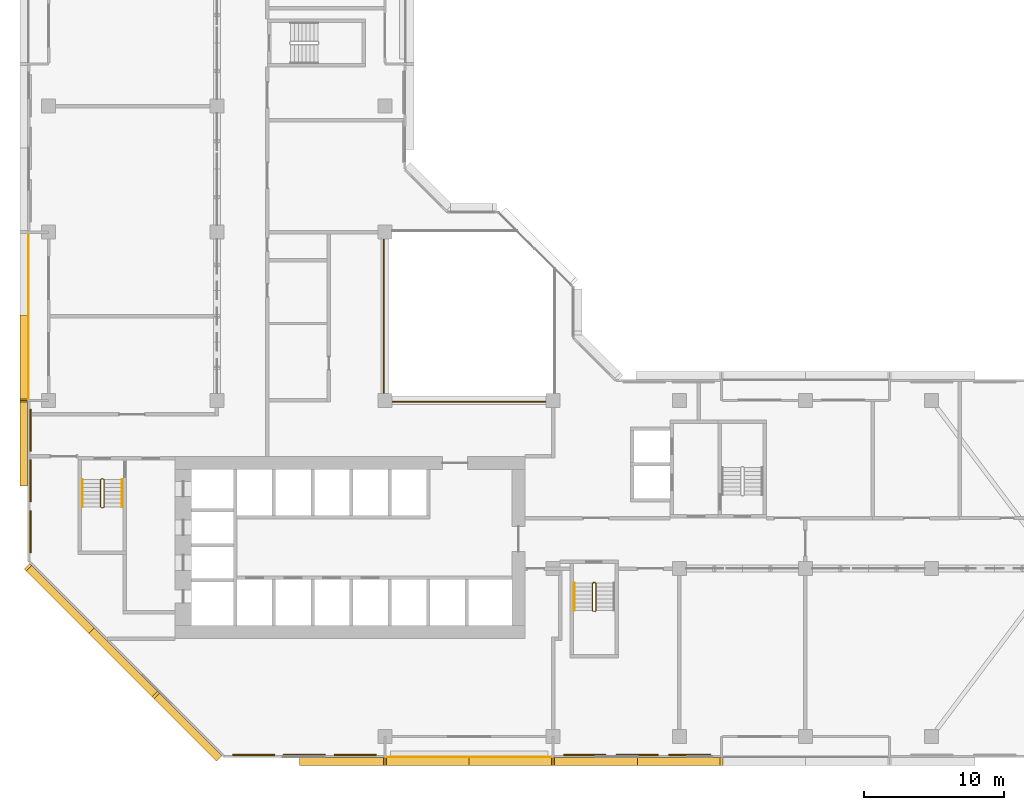
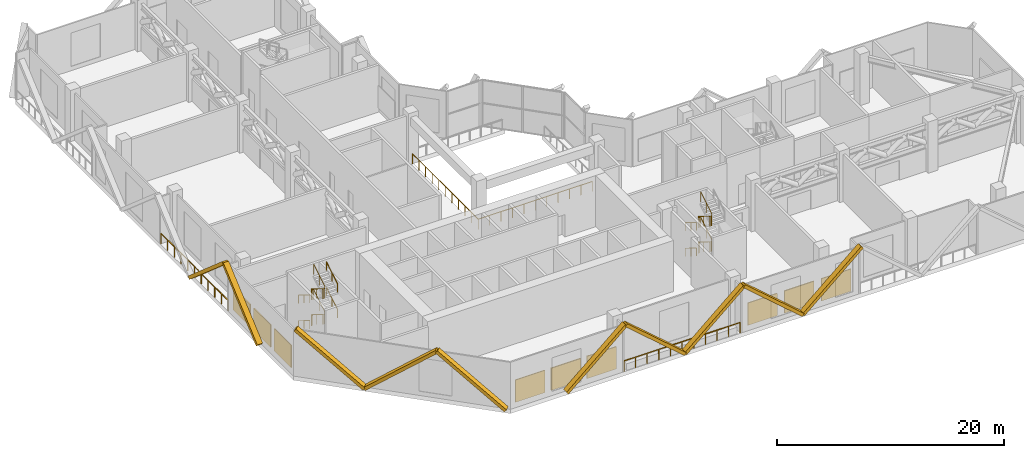
# One storey, part 13 of 15: 11 railings, 10 coverings, 9 shading devices.
"""IFC4 building model written with IfcOpenShell, lengths in metres."""

from ifc_helpers import new_model, si_unit, direction, frame, origin, origin_2d, place, context, subcontext, project, spatial, rectangle, extrude, material, material_profile, profile_set, type_object, element, save


model = new_model("IFC4")

# Units and contexts
model_context = context("Model", 3, precision=1e-05, world=origin(), true_north=direction((0.0, 1.0)))
body_context = subcontext(model_context, "Body", "Model", "MODEL_VIEW")
ifc_project = project(units=[si_unit("LENGTHUNIT", "METRE"), si_unit("AREAUNIT", "SQUARE_METRE"), si_unit("VOLUMEUNIT", "CUBIC_METRE"), si_unit("PLANEANGLEUNIT", "RADIAN"), si_unit("MASSUNIT", "GRAM", prefix="KILO")], contexts=[model_context])

# Site, building, storey
site_placement = place(None, origin())
site = spatial("IfcSite", under=ifc_project, at=site_placement, CompositionType="ELEMENT")
building_placement = place(site_placement, origin())
building = spatial("IfcBuilding", under=site, at=building_placement, Name="Chenar Terraces", CompositionType="ELEMENT")
storey_placement = place(building_placement, frame((0.0, 0.0, 140.64990234375)))
storey = spatial("IfcBuildingStorey", under=building, at=storey_placement, Name="L33", CompositionType="ELEMENT", Elevation=140.64990234375)

# Railings
ifc_material_1 = material(Name="Powder-coated steel", Category="steel")
railing_type_1 = type_object("IfcRailingType", Name="Guard 1100 steel rail with glass infill", PredefinedType="GUARDRAIL", material=ifc_material_1)
railing_1_placement = place(storey_placement, frame((23.89990234375, 35.5, 0.0)))
element("IfcRailing", 1, at=railing_1_placement, inside=storey, type_object=railing_type_1, Name="Guard L33-1", PredefinedType="GUARDRAIL", context=body_context, shape_type="SweptSolid", body=[
    extrude(rectangle(XDim=0.06005859375, YDim=0.06005859375, at=origin_2d()), frame((0.0, 0.0, 1.070068359375), z_axis=(0.0, -1.0, 0.0), x_axis=(1.0, 0.0, 0.0)), (0.0, 0.0, 1.0), 11.60009765625),
    extrude(rectangle(XDim=0.06005859375, YDim=0.06005859375, at=origin_2d()), frame((0.0, -11.60009765625, 1.070068359375), z_axis=(1.0, 0.0, 0.0), x_axis=(0.0, 1.0, 0.0)), (0.0, 0.0, 1.0), 11.60009765625),
    extrude(rectangle(XDim=0.050048828125, YDim=0.050048828125, at=origin_2d()), origin(), (0.0, 0.0, 1.0), 1.0400390625),
    extrude(rectangle(XDim=0.050048828125, YDim=0.050048828125, at=origin_2d()), frame((0.0, -1.159912109375, 0.0)), (0.0, 0.0, 1.0), 1.0400390625),
    extrude(rectangle(XDim=0.050048828125, YDim=0.050048828125, at=origin_2d()), frame((0.0, -2.320068359375, 0.0)), (0.0, 0.0, 1.0), 1.0400390625),
    extrude(rectangle(XDim=0.050048828125, YDim=0.050048828125, at=origin_2d()), frame((0.0, -3.47998046875, 0.0)), (0.0, 0.0, 1.0), 1.0400390625),
    extrude(rectangle(XDim=0.050048828125, YDim=0.050048828125, at=origin_2d()), frame((0.0, -4.64013671875, 0.0)), (0.0, 0.0, 1.0), 1.0400390625),
    extrude(rectangle(XDim=0.050048828125, YDim=0.050048828125, at=origin_2d()), frame((0.0, -5.800048828125, 0.0)), (0.0, 0.0, 1.0), 1.0400390625),
    extrude(rectangle(XDim=0.050048828125, YDim=0.050048828125, at=origin_2d()), frame((0.0, -6.9599609375, 0.0)), (0.0, 0.0, 1.0), 1.0400390625),
    extrude(rectangle(XDim=0.050048828125, YDim=0.050048828125, at=origin_2d()), frame((0.0, -8.1201171875, 0.0)), (0.0, 0.0, 1.0), 1.0400390625),
    extrude(rectangle(XDim=0.050048828125, YDim=0.050048828125, at=origin_2d()), frame((0.0, -9.280029296875, 0.0)), (0.0, 0.0, 1.0), 1.0400390625),
    extrude(rectangle(XDim=0.050048828125, YDim=0.050048828125, at=origin_2d()), frame((0.0, -10.440185546875, 0.0)), (0.0, 0.0, 1.0), 1.0400390625),
    extrude(rectangle(XDim=0.050048828125, YDim=0.050048828125, at=origin_2d()), frame((0.0, -11.60009765625, 0.0)), (0.0, 0.0, 1.0), 1.0400390625),
    extrude(rectangle(XDim=0.050048828125, YDim=0.050048828125, at=origin_2d()), frame((1.159912109375, -11.60009765625, 0.0)), (0.0, 0.0, 1.0), 1.0400390625),
    extrude(rectangle(XDim=0.050048828125, YDim=0.050048828125, at=origin_2d()), frame((2.320068359375, -11.60009765625, 0.0)), (0.0, 0.0, 1.0), 1.0400390625),
    extrude(rectangle(XDim=0.050048828125, YDim=0.050048828125, at=origin_2d()), frame((3.47998046875, -11.60009765625, 0.0)), (0.0, 0.0, 1.0), 1.0400390625),
    extrude(rectangle(XDim=0.050048828125, YDim=0.050048828125, at=origin_2d()), frame((4.64013671875, -11.60009765625, 0.0)), (0.0, 0.0, 1.0), 1.0400390625),
    extrude(rectangle(XDim=0.050048828125, YDim=0.050048828125, at=origin_2d()), frame((5.800048828125, -11.60009765625, 0.0)), (0.0, 0.0, 1.0), 1.0400390625),
    extrude(rectangle(XDim=0.050048828125, YDim=0.050048828125, at=origin_2d()), frame((6.9599609375, -11.60009765625, 0.0)), (0.0, 0.0, 1.0), 1.0400390625),
    extrude(rectangle(XDim=0.050048828125, YDim=0.050048828125, at=origin_2d()), frame((8.1201171875, -11.60009765625, 0.0)), (0.0, 0.0, 1.0), 1.0400390625),
    extrude(rectangle(XDim=0.050048828125, YDim=0.050048828125, at=origin_2d()), frame((9.280029296875, -11.60009765625, 0.0)), (0.0, 0.0, 1.0), 1.0400390625),
    extrude(rectangle(XDim=0.050048828125, YDim=0.050048828125, at=origin_2d()), frame((10.440185546875, -11.60009765625, 0.0)), (0.0, 0.0, 1.0), 1.0400390625),
    extrude(rectangle(XDim=0.050048828125, YDim=0.050048828125, at=origin_2d()), frame((11.60009765625, -11.60009765625, 0.0)), (0.0, 0.0, 1.0), 1.0400390625),
])
ifc_material_2 = material(Name="Stainless steel and glass", Category="steel")
railing_type_2 = type_object("IfcRailingType", Name="Loggia guard 1150", PredefinedType="GUARDRAIL", material=ifc_material_2)
railing_2_placement = place(storey_placement, frame((24.074951171875, -1.449951171875, 0.0)))
element("IfcRailing", 2, at=railing_2_placement, inside=storey, type_object=railing_type_2, Name="Loggia guard", PredefinedType="GUARDRAIL", context=body_context, shape_type="SweptSolid", body=[
    extrude(rectangle(XDim=0.048095703125, YDim=0.048095703125, at=origin_2d()), frame((0.0, 0.0, 1.1259765625), z_axis=(1.0, 0.0, 0.0), x_axis=(0.0, 1.0, 0.0)), (0.0, 0.0, 1.0), 11.85009765625),
    extrude(rectangle(XDim=0.0419921875, YDim=0.0419921875, at=origin_2d()), origin(), (0.0, 0.0, 1.0), 1.101806640625),
    extrude(rectangle(XDim=0.0419921875, YDim=0.0419921875, at=origin_2d()), frame((1.18505859375, 0.0, 0.0)), (0.0, 0.0, 1.0), 1.101806640625),
    extrude(rectangle(XDim=0.0419921875, YDim=0.0419921875, at=origin_2d()), frame((2.3701171875, 0.0, 0.0)), (0.0, 0.0, 1.0), 1.101806640625),
    extrude(rectangle(XDim=0.0419921875, YDim=0.0419921875, at=origin_2d()), frame((3.554931640625, 0.0, 0.0)), (0.0, 0.0, 1.0), 1.101806640625),
    extrude(rectangle(XDim=0.0419921875, YDim=0.0419921875, at=origin_2d()), frame((4.739990234375, 0.0, 0.0)), (0.0, 0.0, 1.0), 1.101806640625),
    extrude(rectangle(XDim=0.0419921875, YDim=0.0419921875, at=origin_2d()), frame((5.925048828125, 0.0, 0.0)), (0.0, 0.0, 1.0), 1.101806640625),
    extrude(rectangle(XDim=0.0419921875, YDim=0.0419921875, at=origin_2d()), frame((7.110107421875, 0.0, 0.0)), (0.0, 0.0, 1.0), 1.101806640625),
    extrude(rectangle(XDim=0.0419921875, YDim=0.0419921875, at=origin_2d()), frame((8.295166015625, 0.0, 0.0)), (0.0, 0.0, 1.0), 1.101806640625),
    extrude(rectangle(XDim=0.0419921875, YDim=0.0419921875, at=origin_2d()), frame((9.47998046875, 0.0, 0.0)), (0.0, 0.0, 1.0), 1.101806640625),
    extrude(rectangle(XDim=0.0419921875, YDim=0.0419921875, at=origin_2d()), frame((10.6650390625, 0.0, 0.0)), (0.0, 0.0, 1.0), 1.101806640625),
    extrude(rectangle(XDim=0.0419921875, YDim=0.0419921875, at=origin_2d()), frame((11.85009765625, 0.0, 0.0)), (0.0, 0.0, 1.0), 1.101806640625),
])
railing_3_placement = place(storey_placement, frame((-1.449951171875, 35.925048828125, 0.0)))
element("IfcRailing", 3, at=railing_3_placement, inside=storey, type_object=railing_type_2, Name="Loggia guard", PredefinedType="GUARDRAIL", context=body_context, shape_type="SweptSolid", body=[
    extrude(rectangle(XDim=0.048095703125, YDim=0.048095703125, at=origin_2d()), frame((0.0, 0.0, 1.1259765625), z_axis=(0.0, -1.0, 0.0), x_axis=(1.0, 0.0, 0.0)), (0.0, 0.0, 1.0), 11.85009765625),
    extrude(rectangle(XDim=0.0419921875, YDim=0.0419921875, at=origin_2d()), origin(), (0.0, 0.0, 1.0), 1.101806640625),
    extrude(rectangle(XDim=0.0419921875, YDim=0.0419921875, at=origin_2d()), frame((0.0, -1.18505859375, 0.0)), (0.0, 0.0, 1.0), 1.101806640625),
    extrude(rectangle(XDim=0.0419921875, YDim=0.0419921875, at=origin_2d()), frame((0.0, -2.3701171875, 0.0)), (0.0, 0.0, 1.0), 1.101806640625),
    extrude(rectangle(XDim=0.0419921875, YDim=0.0419921875, at=origin_2d()), frame((0.0, -3.554931640625, 0.0)), (0.0, 0.0, 1.0), 1.101806640625),
    extrude(rectangle(XDim=0.0419921875, YDim=0.0419921875, at=origin_2d()), frame((0.0, -4.739990234375, 0.0)), (0.0, 0.0, 1.0), 1.101806640625),
    extrude(rectangle(XDim=0.0419921875, YDim=0.0419921875, at=origin_2d()), frame((0.0, -5.925048828125, 0.0)), (0.0, 0.0, 1.0), 1.101806640625),
    extrude(rectangle(XDim=0.0419921875, YDim=0.0419921875, at=origin_2d()), frame((0.0, -7.110107421875, 0.0)), (0.0, 0.0, 1.0), 1.101806640625),
    extrude(rectangle(XDim=0.0419921875, YDim=0.0419921875, at=origin_2d()), frame((0.0, -8.295166015625, 0.0)), (0.0, 0.0, 1.0), 1.101806640625),
    extrude(rectangle(XDim=0.0419921875, YDim=0.0419921875, at=origin_2d()), frame((0.0, -9.47998046875, 0.0)), (0.0, 0.0, 1.0), 1.101806640625),
    extrude(rectangle(XDim=0.0419921875, YDim=0.0419921875, at=origin_2d()), frame((0.0, -10.6650390625, 0.0)), (0.0, 0.0, 1.0), 1.101806640625),
    extrude(rectangle(XDim=0.0419921875, YDim=0.0419921875, at=origin_2d()), frame((0.0, -11.85009765625, 0.0)), (0.0, 0.0, 1.0), 1.101806640625),
])

# Shading devices
ifc_material_3 = material(Name="Powder-coated steel", Category="steel")
shading_device_type = type_object("IfcShadingDeviceType", Name="Sand-proof louvre bank 3000 x 2400", PredefinedType="USERDEFINED", material=ifc_material_3)
for number, where, z_axis, x_axis, name in (
    (4, (14.625, -1.300048828125, 0.4501953125), (0.0, 0.0, 1.0), (1.0, 0.0, 0.0), "Sand-proof louvre bank"),
    (5, (18.25, -1.300048828125, 0.4501953125), (0.0, 0.0, 1.0), (1.0, 0.0, 0.0), "Sand-proof louvre bank"),
    (6, (21.875, -1.300048828125, 0.4501953125), (0.0, 0.0, 1.0), (1.0, 0.0, 0.0), "Sand-proof louvre bank"),
    (7, (38.25, -1.300048828125, 0.4501953125), (0.0, 0.0, 1.0), (1.0, 0.0, 0.0), "Sand-proof louvre bank"),
    (8, (42.0, -1.300048828125, 0.4501953125), (0.0, 0.0, 1.0), (1.0, 0.0, 0.0), "Sand-proof louvre bank"),
    (9, (45.75, -1.300048828125, 0.4501953125), (0.0, 0.0, 1.0), (1.0, 0.0, 0.0), "Sand-proof louvre bank"),
    (10, (-1.300048828125, 21.875, 0.4501953125), (0.0, 0.0, 1.0), (0.0, -1.0, 0.0), "Sand-proof louvre bank"),
    (11, (-1.300048828125, 18.25, 0.4501953125), (0.0, 0.0, 1.0), (0.0, -1.0, 0.0), "Sand-proof louvre bank"),
    (12, (-1.300048828125, 14.625, 0.4501953125), (0.0, 0.0, 1.0), (0.0, -1.0, 0.0), "Sand-proof louvre bank"),
):
    element("IfcShadingDevice", number, at=place(storey_placement, frame(where, z_axis=z_axis, x_axis=x_axis)), inside=storey, type_object=shading_device_type, Name=name, ObjectType="LOUVRE", PredefinedType="USERDEFINED", context=body_context, shape_type="SweptSolid", body=[
        extrude(rectangle(XDim=3.0, YDim=0.10009765625, at=origin_2d()), origin(), (0.0, 0.0, 1.0), 2.39990234375),
    ])

# Railings
ifc_material_4 = material(Name="Powder-coated steel", Category="steel")
railing_type_3 = type_object("IfcRailingType", Name="Stair guard 1100", PredefinedType="GUARDRAIL", material=ifc_material_4)
railing_4_placement = place(storey_placement, frame((3.949951171875, 18.35009765625, 5.5)))
element("IfcRailing", 13, at=railing_4_placement, inside=storey, type_object=railing_type_3, Name="L33 ST1 stair guard 1", PredefinedType="GUARDRAIL", context=body_context, shape_type="SweptSolid", body=[
    extrude(rectangle(XDim=0.048095703125, YDim=0.048095703125, at=origin_2d()), frame((0.0, 0.0, 1.076171875), z_axis=(0.0, -0.852270028233, -0.523102092307), x_axis=(1.0, 0.0, 0.0)), (0.0, 0.0, 1.0), 2.300048828125),
    extrude(rectangle(XDim=0.048095703125, YDim=0.048095703125, at=origin_2d()), frame((0.0, -1.960205078125, -0.126953125), z_axis=(-0.26935076646, -0.268036860282, -0.924989949209), x_axis=(0.705375805398, -0.708833529934, 0.0)), (0.0, 0.0, 1.0), 0.185791015625),
    extrude(rectangle(XDim=0.048095703125, YDim=0.048095703125, at=origin_2d()), frame((-0.050048828125, -2.010009765625, -0.298828125), z_axis=(-1.0, 0.0, 0.0), x_axis=(0.0, -1.0, 0.0)), (0.0, 0.0, 1.0), 0.14990234375),
    extrude(rectangle(XDim=0.048095703125, YDim=0.048095703125, at=origin_2d()), frame((-0.199951171875, -2.010009765625, -0.298828125), z_axis=(-0.708833529934, 0.705375805398, 0.0), x_axis=(-0.705375805398, -0.708833529934, 0.0)), (0.0, 0.0, 1.0), 0.070556640625),
    extrude(rectangle(XDim=0.048095703125, YDim=0.048095703125, at=origin_2d()), frame((-0.25, -1.960205078125, -0.298828125), z_axis=(0.0, 0.852270028233, -0.523102092307), x_axis=(-1.0, 0.0, 0.0)), (0.0, 0.0, 1.0), 2.300048828125),
    extrude(rectangle(XDim=0.048095703125, YDim=0.048095703125, at=origin_2d()), frame((-0.25, 0.0, -1.501953125), z_axis=(0.745163704225, 0.185608541712, -0.640531438064), x_axis=(-0.241699205484, 0.970351222016, 0.0)), (0.0, 0.0, 1.0), 0.268310546875),
    extrude(rectangle(XDim=0.048095703125, YDim=0.048095703125, at=origin_2d()), frame((-0.050048828125, 0.0498046875, -1.673828125), z_axis=(-1.0, 0.0, 0.0), x_axis=(0.0, -1.0, 0.0)), (0.0, 0.0, 1.0), 0.14990234375),
    extrude(rectangle(XDim=0.048095703125, YDim=0.048095703125, at=origin_2d()), frame((-0.199951171875, 0.0498046875, -1.673828125), z_axis=(0.970351222016, -0.241699205484, 0.0), x_axis=(0.241699205484, 0.970351222016, 0.0)), (0.0, 0.0, 1.0), 0.2060546875),
    extrude(rectangle(XDim=0.048095703125, YDim=0.048095703125, at=origin_2d()), frame((0.0, 0.0, -1.673828125), z_axis=(0.0, -0.852270028233, -0.523102092307), x_axis=(1.0, 0.0, 0.0)), (0.0, 0.0, 1.0), 2.300048828125),
    extrude(rectangle(XDim=0.048095703125, YDim=0.048095703125, at=origin_2d()), frame((0.0, -1.960205078125, -2.876953125), z_axis=(-0.26935076646, -0.268036860282, -0.924989949209), x_axis=(0.705375805398, -0.708833529934, 0.0)), (0.0, 0.0, 1.0), 0.185791015625),
    extrude(rectangle(XDim=0.048095703125, YDim=0.048095703125, at=origin_2d()), frame((-0.050048828125, -2.010009765625, -3.048828125), z_axis=(-1.0, 0.0, 0.0), x_axis=(0.0, -1.0, 0.0)), (0.0, 0.0, 1.0), 0.14990234375),
    extrude(rectangle(XDim=0.048095703125, YDim=0.048095703125, at=origin_2d()), frame((-0.199951171875, -2.010009765625, -3.048828125), z_axis=(-0.708833529934, 0.705375805398, 0.0), x_axis=(-0.705375805398, -0.708833529934, 0.0)), (0.0, 0.0, 1.0), 0.070556640625),
    extrude(rectangle(XDim=0.048095703125, YDim=0.048095703125, at=origin_2d()), frame((-0.25, -1.960205078125, -3.048828125), z_axis=(0.0, 0.852270028233, -0.523102092307), x_axis=(-1.0, 0.0, 0.0)), (0.0, 0.0, 1.0), 2.300048828125),
    extrude(rectangle(XDim=0.048095703125, YDim=0.048095703125, at=origin_2d()), frame((-0.25, 0.0, -4.251953125), z_axis=(0.26935076646, 0.268036860282, -0.924989949209), x_axis=(-0.705375805398, 0.708833529934, 0.0)), (0.0, 0.0, 1.0), 0.185791015625),
    extrude(rectangle(XDim=0.048095703125, YDim=0.048095703125, at=origin_2d()), frame((-0.199951171875, 0.0498046875, -4.423828125), z_axis=(1.0, 0.0, 0.0), x_axis=(0.0, 1.0, 0.0)), (0.0, 0.0, 1.0), 0.14990234375),
    extrude(rectangle(XDim=0.0419921875, YDim=0.0419921875, at=origin_2d()), origin(), (0.0, 0.0, 1.0), 1.052001953125),
    extrude(rectangle(XDim=0.0419921875, YDim=0.0419921875, at=origin_2d()), frame((0.0, -0.97998046875, -0.6015625)), (0.0, 0.0, 1.0), 1.052001953125),
    extrude(rectangle(XDim=0.0419921875, YDim=0.0419921875, at=origin_2d()), frame((0.0, -1.960205078125, -1.203125)), (0.0, 0.0, 1.0), 1.052001953125),
    extrude(rectangle(XDim=0.0419921875, YDim=0.0419921875, at=origin_2d()), frame((-0.050048828125, -2.010009765625, -1.375)), (0.0, 0.0, 1.0), 1.052001953125),
    extrude(rectangle(XDim=0.0419921875, YDim=0.0419921875, at=origin_2d()), frame((-0.199951171875, -2.010009765625, -1.375)), (0.0, 0.0, 1.0), 1.052001953125),
    extrude(rectangle(XDim=0.0419921875, YDim=0.0419921875, at=origin_2d()), frame((-0.25, -1.960205078125, -1.375)), (0.0, 0.0, 1.0), 1.052001953125),
    extrude(rectangle(XDim=0.0419921875, YDim=0.0419921875, at=origin_2d()), frame((-0.25, -0.97998046875, -1.9765625)), (0.0, 0.0, 1.0), 1.052001953125),
    extrude(rectangle(XDim=0.0419921875, YDim=0.0419921875, at=origin_2d()), frame((-0.25, 0.0, -2.578125)), (0.0, 0.0, 1.0), 1.052001953125),
    extrude(rectangle(XDim=0.0419921875, YDim=0.0419921875, at=origin_2d()), frame((-0.050048828125, 0.0498046875, -2.75)), (0.0, 0.0, 1.0), 1.052001953125),
    extrude(rectangle(XDim=0.0419921875, YDim=0.0419921875, at=origin_2d()), frame((-0.199951171875, 0.0498046875, -2.75)), (0.0, 0.0, 1.0), 1.052001953125),
    extrude(rectangle(XDim=0.0419921875, YDim=0.0419921875, at=origin_2d()), frame((0.0, 0.0, -2.75)), (0.0, 0.0, 1.0), 1.052001953125),
    extrude(rectangle(XDim=0.0419921875, YDim=0.0419921875, at=origin_2d()), frame((0.0, -0.97998046875, -3.3515625)), (0.0, 0.0, 1.0), 1.052001953125),
    extrude(rectangle(XDim=0.0419921875, YDim=0.0419921875, at=origin_2d()), frame((0.0, -1.960205078125, -3.953125)), (0.0, 0.0, 1.0), 1.052001953125),
    extrude(rectangle(XDim=0.0419921875, YDim=0.0419921875, at=origin_2d()), frame((-0.050048828125, -2.010009765625, -4.125)), (0.0, 0.0, 1.0), 1.052001953125),
    extrude(rectangle(XDim=0.0419921875, YDim=0.0419921875, at=origin_2d()), frame((-0.199951171875, -2.010009765625, -4.125)), (0.0, 0.0, 1.0), 1.052001953125),
    extrude(rectangle(XDim=0.0419921875, YDim=0.0419921875, at=origin_2d()), frame((-0.25, -1.960205078125, -4.125)), (0.0, 0.0, 1.0), 1.052001953125),
    extrude(rectangle(XDim=0.0419921875, YDim=0.0419921875, at=origin_2d()), frame((-0.25, -0.97998046875, -4.7265625)), (0.0, 0.0, 1.0), 1.052001953125),
    extrude(rectangle(XDim=0.0419921875, YDim=0.0419921875, at=origin_2d()), frame((-0.25, 0.0, -5.328125)), (0.0, 0.0, 1.0), 1.052001953125),
    extrude(rectangle(XDim=0.0419921875, YDim=0.0419921875, at=origin_2d()), frame((-0.199951171875, 0.0498046875, -5.5)), (0.0, 0.0, 1.0), 1.052001953125),
    extrude(rectangle(XDim=0.0419921875, YDim=0.0419921875, at=origin_2d()), frame((-0.050048828125, 0.0498046875, -5.5)), (0.0, 0.0, 1.0), 1.052001953125),
])
railing_5_placement = place(storey_placement, frame((39.050048828125, 10.949951171875, 5.5)))
element("IfcRailing", 14, at=railing_5_placement, inside=storey, type_object=railing_type_3, Name="L33 ST2 stair guard 1", PredefinedType="GUARDRAIL", context=body_context, shape_type="SweptSolid", body=[
    extrude(rectangle(XDim=0.048095703125, YDim=0.048095703125, at=origin_2d()), frame((0.0, 0.0, 1.076171875), z_axis=(0.0, -0.852240978134, -0.523149419562), x_axis=(1.0, 0.0, 0.0)), (0.0, 0.0, 1.0), 2.2998046875),
    extrude(rectangle(XDim=0.048095703125, YDim=0.048095703125, at=origin_2d()), frame((0.0, -1.9599609375, -0.126953125), z_axis=(-0.269255725606, -0.269255725606, -0.92466356501), x_axis=(0.707106781187, -0.707106781187, 0.0)), (0.0, 0.0, 1.0), 0.185791015625),
    extrude(rectangle(XDim=0.048095703125, YDim=0.048095703125, at=origin_2d()), frame((-0.050048828125, -2.010009765625, -0.298828125), z_axis=(-1.0, 0.0, 0.0), x_axis=(0.0, -1.0, 0.0)), (0.0, 0.0, 1.0), 0.14990234375),
    extrude(rectangle(XDim=0.048095703125, YDim=0.048095703125, at=origin_2d()), frame((-0.199951171875, -2.010009765625, -0.298828125), z_axis=(-0.707106781187, 0.707106781187, 0.0), x_axis=(-0.707106781187, -0.707106781187, 0.0)), (0.0, 0.0, 1.0), 0.07080078125),
    extrude(rectangle(XDim=0.048095703125, YDim=0.048095703125, at=origin_2d()), frame((-0.25, -1.9599609375, -0.298828125), z_axis=(0.0, 0.852240978134, -0.523149419562), x_axis=(-1.0, 0.0, 0.0)), (0.0, 0.0, 1.0), 2.2998046875),
    extrude(rectangle(XDim=0.048095703125, YDim=0.048095703125, at=origin_2d()), frame((-0.25, 0.0, -1.501953125), z_axis=(0.745037588186, 0.186486819998, -0.640423030626), x_axis=(-0.242814311512, 0.970072785993, 0.0)), (0.0, 0.0, 1.0), 0.268310546875),
    extrude(rectangle(XDim=0.048095703125, YDim=0.048095703125, at=origin_2d()), frame((-0.050048828125, 0.050048828125, -1.673828125), z_axis=(-1.0, 0.0, 0.0), x_axis=(0.0, -1.0, 0.0)), (0.0, 0.0, 1.0), 0.14990234375),
    extrude(rectangle(XDim=0.048095703125, YDim=0.048095703125, at=origin_2d()), frame((-0.199951171875, 0.050048828125, -1.673828125), z_axis=(0.970072785993, -0.242814311512, 0.0), x_axis=(0.242814311512, 0.970072785993, 0.0)), (0.0, 0.0, 1.0), 0.2060546875),
    extrude(rectangle(XDim=0.048095703125, YDim=0.048095703125, at=origin_2d()), frame((0.0, 0.0, -1.673828125), z_axis=(0.0, -0.852240978134, -0.523149419562), x_axis=(1.0, 0.0, 0.0)), (0.0, 0.0, 1.0), 2.2998046875),
    extrude(rectangle(XDim=0.048095703125, YDim=0.048095703125, at=origin_2d()), frame((0.0, -1.9599609375, -2.876953125), z_axis=(-0.269255725606, -0.269255725606, -0.92466356501), x_axis=(0.707106781187, -0.707106781187, 0.0)), (0.0, 0.0, 1.0), 0.185791015625),
    extrude(rectangle(XDim=0.048095703125, YDim=0.048095703125, at=origin_2d()), frame((-0.050048828125, -2.010009765625, -3.048828125), z_axis=(-1.0, 0.0, 0.0), x_axis=(0.0, -1.0, 0.0)), (0.0, 0.0, 1.0), 0.14990234375),
    extrude(rectangle(XDim=0.048095703125, YDim=0.048095703125, at=origin_2d()), frame((-0.199951171875, -2.010009765625, -3.048828125), z_axis=(-0.707106781187, 0.707106781187, 0.0), x_axis=(-0.707106781187, -0.707106781187, 0.0)), (0.0, 0.0, 1.0), 0.07080078125),
    extrude(rectangle(XDim=0.048095703125, YDim=0.048095703125, at=origin_2d()), frame((-0.25, -1.9599609375, -3.048828125), z_axis=(0.0, 0.852240978134, -0.523149419562), x_axis=(-1.0, 0.0, 0.0)), (0.0, 0.0, 1.0), 2.2998046875),
    extrude(rectangle(XDim=0.048095703125, YDim=0.048095703125, at=origin_2d()), frame((-0.25, 0.0, -4.251953125), z_axis=(0.269255725606, 0.269255725606, -0.92466356501), x_axis=(-0.707106781187, 0.707106781187, 0.0)), (0.0, 0.0, 1.0), 0.185791015625),
    extrude(rectangle(XDim=0.048095703125, YDim=0.048095703125, at=origin_2d()), frame((-0.199951171875, 0.050048828125, -4.423828125), z_axis=(1.0, 0.0, 0.0), x_axis=(0.0, 1.0, 0.0)), (0.0, 0.0, 1.0), 0.14990234375),
    extrude(rectangle(XDim=0.0419921875, YDim=0.0419921875, at=origin_2d()), origin(), (0.0, 0.0, 1.0), 1.052001953125),
    extrude(rectangle(XDim=0.0419921875, YDim=0.0419921875, at=origin_2d()), frame((0.0, -0.97998046875, -0.6015625)), (0.0, 0.0, 1.0), 1.052001953125),
    extrude(rectangle(XDim=0.0419921875, YDim=0.0419921875, at=origin_2d()), frame((0.0, -1.9599609375, -1.203125)), (0.0, 0.0, 1.0), 1.052001953125),
    extrude(rectangle(XDim=0.0419921875, YDim=0.0419921875, at=origin_2d()), frame((-0.050048828125, -2.010009765625, -1.375)), (0.0, 0.0, 1.0), 1.052001953125),
    extrude(rectangle(XDim=0.0419921875, YDim=0.0419921875, at=origin_2d()), frame((-0.199951171875, -2.010009765625, -1.375)), (0.0, 0.0, 1.0), 1.052001953125),
    extrude(rectangle(XDim=0.0419921875, YDim=0.0419921875, at=origin_2d()), frame((-0.25, -1.9599609375, -1.375)), (0.0, 0.0, 1.0), 1.052001953125),
    extrude(rectangle(XDim=0.0419921875, YDim=0.0419921875, at=origin_2d()), frame((-0.25, -0.97998046875, -1.9765625)), (0.0, 0.0, 1.0), 1.052001953125),
    extrude(rectangle(XDim=0.0419921875, YDim=0.0419921875, at=origin_2d()), frame((-0.25, 0.0, -2.578125)), (0.0, 0.0, 1.0), 1.052001953125),
    extrude(rectangle(XDim=0.0419921875, YDim=0.0419921875, at=origin_2d()), frame((-0.050048828125, 0.050048828125, -2.75)), (0.0, 0.0, 1.0), 1.052001953125),
    extrude(rectangle(XDim=0.0419921875, YDim=0.0419921875, at=origin_2d()), frame((-0.199951171875, 0.050048828125, -2.75)), (0.0, 0.0, 1.0), 1.052001953125),
    extrude(rectangle(XDim=0.0419921875, YDim=0.0419921875, at=origin_2d()), frame((0.0, 0.0, -2.75)), (0.0, 0.0, 1.0), 1.052001953125),
    extrude(rectangle(XDim=0.0419921875, YDim=0.0419921875, at=origin_2d()), frame((0.0, -0.97998046875, -3.3515625)), (0.0, 0.0, 1.0), 1.052001953125),
    extrude(rectangle(XDim=0.0419921875, YDim=0.0419921875, at=origin_2d()), frame((0.0, -1.9599609375, -3.953125)), (0.0, 0.0, 1.0), 1.052001953125),
    extrude(rectangle(XDim=0.0419921875, YDim=0.0419921875, at=origin_2d()), frame((-0.050048828125, -2.010009765625, -4.125)), (0.0, 0.0, 1.0), 1.052001953125),
    extrude(rectangle(XDim=0.0419921875, YDim=0.0419921875, at=origin_2d()), frame((-0.199951171875, -2.010009765625, -4.125)), (0.0, 0.0, 1.0), 1.052001953125),
    extrude(rectangle(XDim=0.0419921875, YDim=0.0419921875, at=origin_2d()), frame((-0.25, -1.9599609375, -4.125)), (0.0, 0.0, 1.0), 1.052001953125),
    extrude(rectangle(XDim=0.0419921875, YDim=0.0419921875, at=origin_2d()), frame((-0.25, -0.97998046875, -4.7265625)), (0.0, 0.0, 1.0), 1.052001953125),
    extrude(rectangle(XDim=0.0419921875, YDim=0.0419921875, at=origin_2d()), frame((-0.25, 0.0, -5.328125)), (0.0, 0.0, 1.0), 1.052001953125),
    extrude(rectangle(XDim=0.0419921875, YDim=0.0419921875, at=origin_2d()), frame((-0.199951171875, 0.050048828125, -5.5)), (0.0, 0.0, 1.0), 1.052001953125),
    extrude(rectangle(XDim=0.0419921875, YDim=0.0419921875, at=origin_2d()), frame((-0.050048828125, 0.050048828125, -5.5)), (0.0, 0.0, 1.0), 1.052001953125),
])
ifc_material_5 = material(Name="Powder-coated steel", Category="steel")
railing_type_4 = type_object("IfcRailingType", Name="Stair handrail 900", PredefinedType="HANDRAIL", material=ifc_material_5)
railing_6_placement = place(storey_placement, frame((2.39990234375, 18.35009765625, 0.171875)))
element("IfcRailing", 15, at=railing_6_placement, inside=storey, type_object=railing_type_4, Name="L33 ST1 stair handrail 1", PredefinedType="HANDRAIL", context=body_context, shape_type="SweptSolid", body=[
    extrude(rectangle(XDim=0.048095703125, YDim=0.048095703125, at=origin_2d()), frame((0.0, 0.0, 0.8759765625), z_axis=(0.0, -0.852270028233, 0.523102092307), x_axis=(1.0, 0.0, 0.0)), (0.0, 0.0, 1.0), 2.300048828125),
    extrude(rectangle(XDim=0.0419921875, YDim=0.0419921875, at=origin_2d()), origin(), (0.0, 0.0, 1.0), 0.851806640625),
    extrude(rectangle(XDim=0.0419921875, YDim=0.0419921875, at=origin_2d()), frame((0.0, -0.97998046875, 0.6015625)), (0.0, 0.0, 1.0), 0.851806640625),
    extrude(rectangle(XDim=0.0419921875, YDim=0.0419921875, at=origin_2d()), frame((0.0, -1.960205078125, 1.203125)), (0.0, 0.0, 1.0), 0.851806640625),
])
railing_7_placement = place(storey_placement, frame((5.25, 16.389892578125, 1.546875)))
element("IfcRailing", 16, at=railing_7_placement, inside=storey, type_object=railing_type_4, Name="L33 ST1 stair handrail 2", PredefinedType="HANDRAIL", context=body_context, shape_type="SweptSolid", body=[
    extrude(rectangle(XDim=0.048095703125, YDim=0.048095703125, at=origin_2d()), frame((0.0, 0.0, 0.8759765625), z_axis=(0.0, 0.852270028233, 0.523102092307), x_axis=(-1.0, 0.0, 0.0)), (0.0, 0.0, 1.0), 2.300048828125),
    extrude(rectangle(XDim=0.0419921875, YDim=0.0419921875, at=origin_2d()), origin(), (0.0, 0.0, 1.0), 0.851806640625),
    extrude(rectangle(XDim=0.0419921875, YDim=0.0419921875, at=origin_2d()), frame((0.0, 0.97998046875, 0.6015625)), (0.0, 0.0, 1.0), 0.851806640625),
    extrude(rectangle(XDim=0.0419921875, YDim=0.0419921875, at=origin_2d()), frame((0.0, 1.960205078125, 1.203125)), (0.0, 0.0, 1.0), 0.851806640625),
])
railing_8_placement = place(storey_placement, frame((2.39990234375, 18.35009765625, 2.921875)))
element("IfcRailing", 17, at=railing_8_placement, inside=storey, type_object=railing_type_4, Name="L33 ST1 stair handrail 3", PredefinedType="HANDRAIL", context=body_context, shape_type="SweptSolid", body=[
    extrude(rectangle(XDim=0.048095703125, YDim=0.048095703125, at=origin_2d()), frame((0.0, 0.0, 0.8759765625), z_axis=(0.0, -0.852270028233, 0.523102092307), x_axis=(1.0, 0.0, 0.0)), (0.0, 0.0, 1.0), 2.300048828125),
    extrude(rectangle(XDim=0.0419921875, YDim=0.0419921875, at=origin_2d()), origin(), (0.0, 0.0, 1.0), 0.851806640625),
    extrude(rectangle(XDim=0.0419921875, YDim=0.0419921875, at=origin_2d()), frame((0.0, -0.97998046875, 0.6015625)), (0.0, 0.0, 1.0), 0.851806640625),
    extrude(rectangle(XDim=0.0419921875, YDim=0.0419921875, at=origin_2d()), frame((0.0, -1.960205078125, 1.203125)), (0.0, 0.0, 1.0), 0.851806640625),
])
railing_9_placement = place(storey_placement, frame((5.25, 16.389892578125, 4.296875)))
element("IfcRailing", 18, at=railing_9_placement, inside=storey, type_object=railing_type_4, Name="L33 ST1 stair handrail 4", PredefinedType="HANDRAIL", context=body_context, shape_type="SweptSolid", body=[
    extrude(rectangle(XDim=0.048095703125, YDim=0.048095703125, at=origin_2d()), frame((0.0, 0.0, 0.8759765625), z_axis=(0.0, 0.852270028233, 0.523102092307), x_axis=(-1.0, 0.0, 0.0)), (0.0, 0.0, 1.0), 2.300048828125),
    extrude(rectangle(XDim=0.0419921875, YDim=0.0419921875, at=origin_2d()), origin(), (0.0, 0.0, 1.0), 0.851806640625),
    extrude(rectangle(XDim=0.0419921875, YDim=0.0419921875, at=origin_2d()), frame((0.0, 0.97998046875, 0.6015625)), (0.0, 0.0, 1.0), 0.851806640625),
    extrude(rectangle(XDim=0.0419921875, YDim=0.0419921875, at=origin_2d()), frame((0.0, 1.960205078125, 1.203125)), (0.0, 0.0, 1.0), 0.851806640625),
])
for number, where, name in (
    (19, (37.5, 10.949951171875, 0.171875), "L33 ST2 stair handrail 1"),
    (20, (37.5, 10.949951171875, 2.921875), "L33 ST2 stair handrail 3"),
):
    element("IfcRailing", number, at=place(storey_placement, frame(where)), inside=storey, type_object=railing_type_4, Name=name, PredefinedType="HANDRAIL", context=body_context, shape_type="SweptSolid", body=[
        extrude(rectangle(XDim=0.048095703125, YDim=0.048095703125, at=origin_2d()), frame((0.0, 0.0, 0.8759765625), z_axis=(0.0, -0.852240978134, 0.523149419562), x_axis=(1.0, 0.0, 0.0)), (0.0, 0.0, 1.0), 2.2998046875),
        extrude(rectangle(XDim=0.0419921875, YDim=0.0419921875, at=origin_2d()), origin(), (0.0, 0.0, 1.0), 0.851806640625),
        extrude(rectangle(XDim=0.0419921875, YDim=0.0419921875, at=origin_2d()), frame((0.0, -0.97998046875, 0.6015625)), (0.0, 0.0, 1.0), 0.851806640625),
        extrude(rectangle(XDim=0.0419921875, YDim=0.0419921875, at=origin_2d()), frame((0.0, -1.9599609375, 1.203125)), (0.0, 0.0, 1.0), 0.851806640625),
    ])

# Coverings
ifc_material_6 = material(Name="Terracotta", Category="masonry")
ifc_material_profile = material_profile(ifc_material_6, rectangle(XDim=0.550048828125, YDim=0.330078125, at=origin_2d()), Name="Terracotta baguette 550 x 330")
ifc_profile_set = profile_set([ifc_material_profile], Name="Terracotta")
covering_type = type_object("IfcCoveringType", Name="Terracotta baguette 550 x 330", PredefinedType="CLADDING", material=ifc_profile_set)
for number, where, z_axis, x_axis, name in (
    (21, (-1.77490234375, 30.0, 0.150146484375), (0.0, -0.755692126483, 0.654927026447), (1.0, 0.0, 0.0), "Terracotta baguette"),
    (22, (-1.77490234375, 24.0, 5.35009765625), (0.0, -0.755692126483, -0.654927026447), (1.0, 0.0, 0.0), "Terracotta baguette"),
):
    element("IfcCovering", number, at=place(storey_placement, frame(where, z_axis=z_axis, x_axis=x_axis)), inside=storey, type_object=covering_type, Name=name, PredefinedType="CLADDING", context=body_context, shape_type="SweptSolid", body=[
        extrude(rectangle(XDim=0.550048828125, YDim=0.330078125, at=origin_2d()), origin(), (0.0, 0.0, 1.0), 7.939697265625),
    ])
covering_1_placement = place(storey_placement, frame((-1.482421875, 12.093505859375, 5.35009765625), z_axis=(0.545330033879, -0.545330033879, -0.63657702464), x_axis=(0.707106781187, 0.707106781187, 0.0)))
element("IfcCovering", 23, at=covering_1_placement, inside=storey, type_object=covering_type, Name="Terracotta baguette", PredefinedType="CLADDING", context=body_context, shape_type="SweptSolid", body=[
    extrude(rectangle(XDim=0.550048828125, YDim=0.330078125, at=origin_2d()), origin(), (0.0, 0.0, 1.0), 8.168701171875),
])
covering_2_placement = place(storey_placement, frame((2.97216796875, 7.638916015625, 0.150146484375), z_axis=(0.555421342163, -0.555421342163, 0.618881463077), x_axis=(0.707106781187, 0.707106781187, 0.0)))
element("IfcCovering", 24, at=covering_2_placement, inside=storey, type_object=covering_type, Name="Terracotta baguette", PredefinedType="CLADDING", context=body_context, shape_type="SweptSolid", body=[
    extrude(rectangle(XDim=0.550048828125, YDim=0.330078125, at=origin_2d()), origin(), (0.0, 0.0, 1.0), 8.402099609375),
])
covering_3_placement = place(storey_placement, frame((7.638916015625, 2.97216796875, 5.35009765625), z_axis=(0.545330033879, -0.545330033879, -0.63657702464), x_axis=(0.707106781187, 0.707106781187, 0.0)))
element("IfcCovering", 25, at=covering_3_placement, inside=storey, type_object=covering_type, Name="Terracotta baguette", PredefinedType="CLADDING", context=body_context, shape_type="SweptSolid", body=[
    extrude(rectangle(XDim=0.550048828125, YDim=0.330078125, at=origin_2d()), origin(), (0.0, 0.0, 1.0), 8.168701171875),
])
for number, where, z_axis, x_axis, name in (
    (26, (18.0, -1.77490234375, 0.150146484375), (0.755692126483, 0.0, 0.654927026447), (0.0, 1.0, 0.0), "Terracotta baguette"),
    (27, (24.0, -1.77490234375, 5.35009765625), (0.755692126483, 0.0, -0.654927026447), (0.0, 1.0, 0.0), "Terracotta baguette"),
    (28, (30.0, -1.77490234375, 0.150146484375), (0.755692126483, 0.0, 0.654927026447), (0.0, 1.0, 0.0), "Terracotta baguette"),
    (29, (36.0, -1.77490234375, 5.35009765625), (0.755692126483, 0.0, -0.654927026447), (0.0, 1.0, 0.0), "Terracotta baguette"),
    (30, (42.0, -1.77490234375, 0.150146484375), (0.755692126483, 0.0, 0.654927026447), (0.0, 1.0, 0.0), "Terracotta baguette"),
):
    element("IfcCovering", number, at=place(storey_placement, frame(where, z_axis=z_axis, x_axis=x_axis)), inside=storey, type_object=covering_type, Name=name, PredefinedType="CLADDING", context=body_context, shape_type="SweptSolid", body=[
        extrude(rectangle(XDim=0.550048828125, YDim=0.330078125, at=origin_2d()), origin(), (0.0, 0.0, 1.0), 7.939697265625),
    ])

save(model, "model.ifc")
